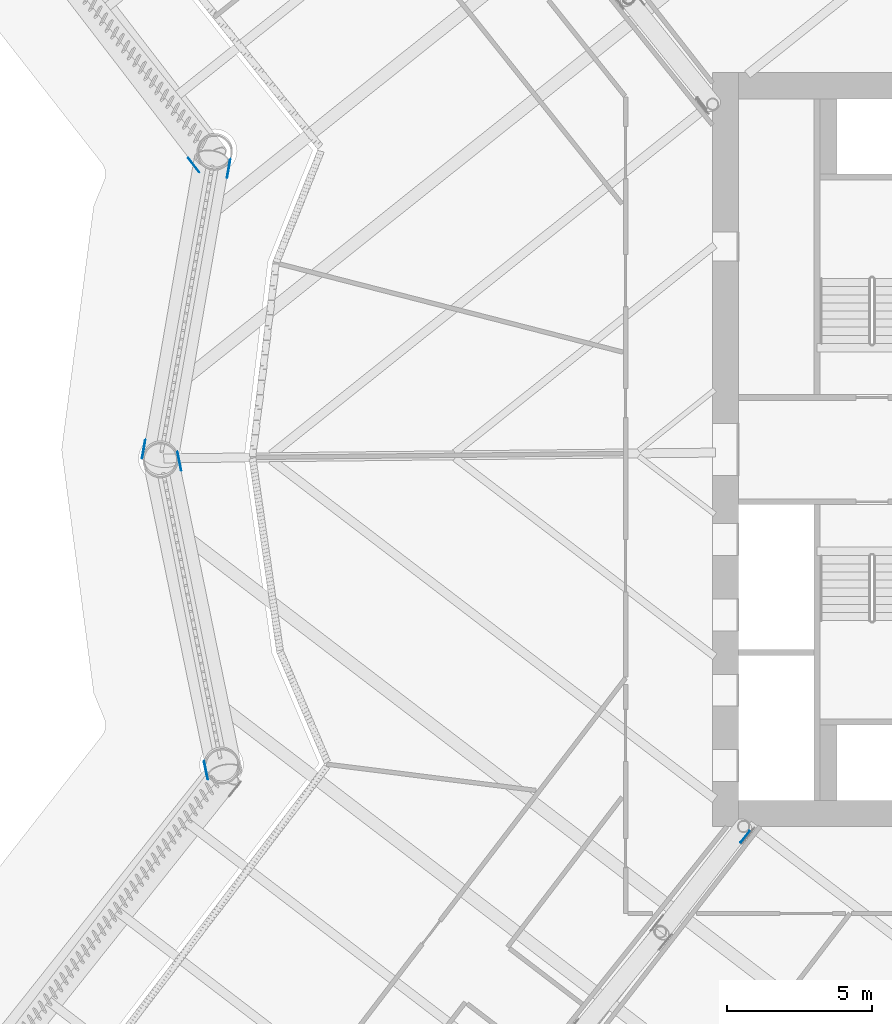
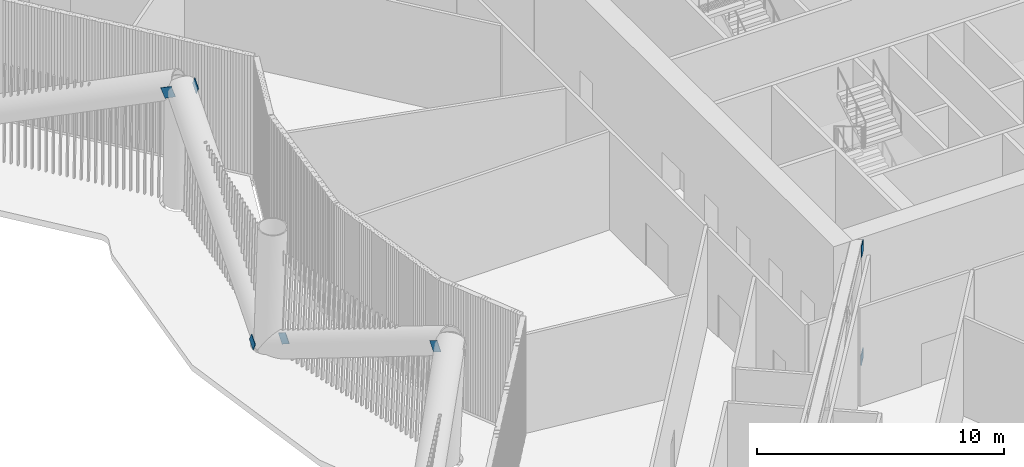
# One storey, part 24 of 48: 7 discrete accessories.
"""IFC4 building model written with IfcOpenShell, lengths in metres."""

from ifc_helpers import new_model, si_unit, direction, frame, origin, origin_2d, place, context, subcontext, project, spatial, rectangle, extrude, material, material_profile, profile_set, type_object, element, save


model = new_model("IFC4")

# Units and contexts
model_context = context("Model", 3, precision=1e-05, world=origin(), true_north=direction((0.0, 1.0)))
body_context = subcontext(model_context, "Body", "Model", "MODEL_VIEW")
ifc_project = project(units=[si_unit("LENGTHUNIT", "METRE"), si_unit("AREAUNIT", "SQUARE_METRE"), si_unit("VOLUMEUNIT", "CUBIC_METRE"), si_unit("PLANEANGLEUNIT", "RADIAN"), si_unit("MASSUNIT", "GRAM", prefix="KILO")], contexts=[model_context])

# Site, building, storey
site_placement = place(None, origin())
site = spatial("IfcSite", under=ifc_project, at=site_placement, CompositionType="ELEMENT")
building_placement = place(site_placement, origin())
building = spatial("IfcBuilding", under=site, at=building_placement, Name="Tarsis Ring Headquarters", CompositionType="ELEMENT")
storey_placement = place(building_placement, frame((0.0, 0.0, 34.0)))
storey = spatial("IfcBuildingStorey", under=building, at=storey_placement, Name="L06", CompositionType="ELEMENT", Elevation=34.0)

# Discrete accessories
ifc_material = material(Name="Structural steel S355", Category="steel")
ifc_material_profile = material_profile(ifc_material, rectangle(XDim=0.02490234375, YDim=0.5, at=origin_2d()), Name="PL 25x500")
ifc_profile_set = profile_set([ifc_material_profile], Name="Structural steel S355")
discrete_accessory_type_1 = type_object("IfcDiscreteAccessoryType", Name="Gusset plate Belt truss 25", PredefinedType="BRACKET", material=ifc_profile_set)
for number, where, z_axis, x_axis, name in (
    (1, (-28.4375, -0.17919921875, 0.0), (0.176736492331, -0.861224233346, 0.476505017997), (0.979585879925, 0.201026127286, 0.0), "Gusset plate GP4"),
    (2, (-27.43310546875, -11.274169921875, 6.0), (-0.176736492331, 0.861224233346, -0.476505017997), (-0.979585879925, -0.201026127286, 0.0), "Gusset plate GP4"),
    (3, (-27.760498046875, 9.636962890625, 6.0), (-0.560074818152, 0.729513320244, -0.392589497641), (-0.79319600824, -0.608966413287, 0.0), "Gusset plate GP4"),
    (4, (-29.659912109375, -0.198486328125, 0.0), (0.147474562891, 0.855059468949, 0.497116241799), (-0.985450365978, 0.169963455468, 0.0), "Gusset plate GP4"),
    (5, (-26.654052734375, 9.910400390625, 6.0), (-0.147474562891, -0.855059468949, -0.497116241799), (0.985450365978, -0.169963455468, 0.0), "Gusset plate GP4"),
):
    element("IfcDiscreteAccessory", number, at=place(storey_placement, frame(where, z_axis=z_axis, x_axis=x_axis)), inside=storey, type_object=discrete_accessory_type_1, Name=name, PredefinedType="BRACKET", context=body_context, shape_type="SweptSolid", body=[
        extrude(rectangle(XDim=0.02490234375, YDim=0.5, at=origin_2d()), origin(), (0.0, 0.0, 1.0), 0.5),
    ])
discrete_accessory_type_2 = type_object("IfcDiscreteAccessoryType", Name="Gusset plate Outrigger chord 25", PredefinedType="BRACKET", material=ifc_profile_set)
discrete_accessory_1_placement = place(storey_placement, frame((-8.721923828125, -13.166259765625, 0.25390625), z_axis=(-0.623861257485, -0.781535112077, 0.0), x_axis=(0.781535112077, -0.623861257485, 0.0)))
element("IfcDiscreteAccessory", 6, at=discrete_accessory_1_placement, inside=storey, type_object=discrete_accessory_type_2, Name="Gusset plate GP3", PredefinedType="BRACKET", context=body_context, shape_type="SweptSolid", body=[
    extrude(rectangle(XDim=0.02490234375, YDim=0.5, at=origin_2d()), origin(), (0.0, 0.0, 1.0), 0.500244140625),
])
discrete_accessory_2_placement = place(storey_placement, frame((-8.7197265625, -13.16357421875, 5.5859375), z_axis=(-0.613433299769, -0.789746533221, 0.0), x_axis=(0.789746533221, -0.613433299769, 0.0)))
element("IfcDiscreteAccessory", 7, at=discrete_accessory_2_placement, inside=storey, type_object=discrete_accessory_type_2, Name="Gusset plate GP3", PredefinedType="BRACKET", context=body_context, shape_type="SweptSolid", body=[
    extrude(rectangle(XDim=0.02490234375, YDim=0.5, at=origin_2d()), origin(), (0.0, 0.0, 1.0), 0.499755859375),
])

save(model, "model.ifc")
